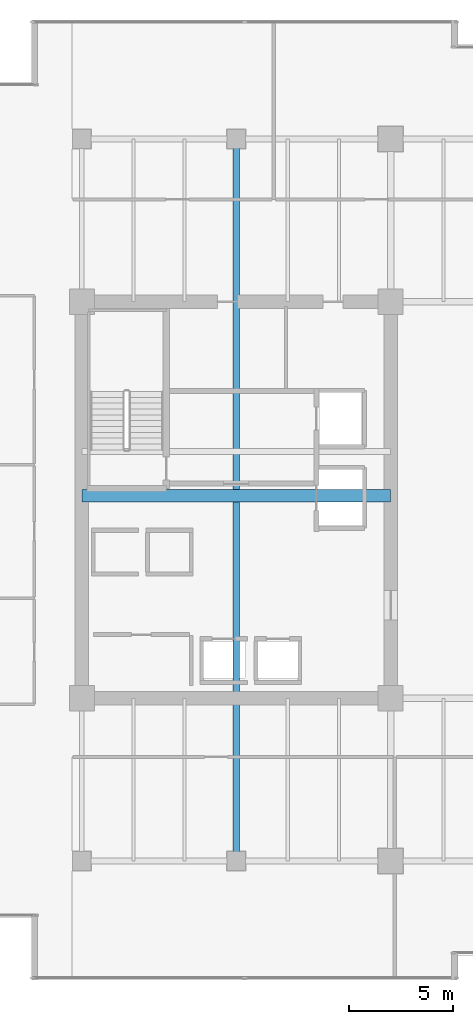
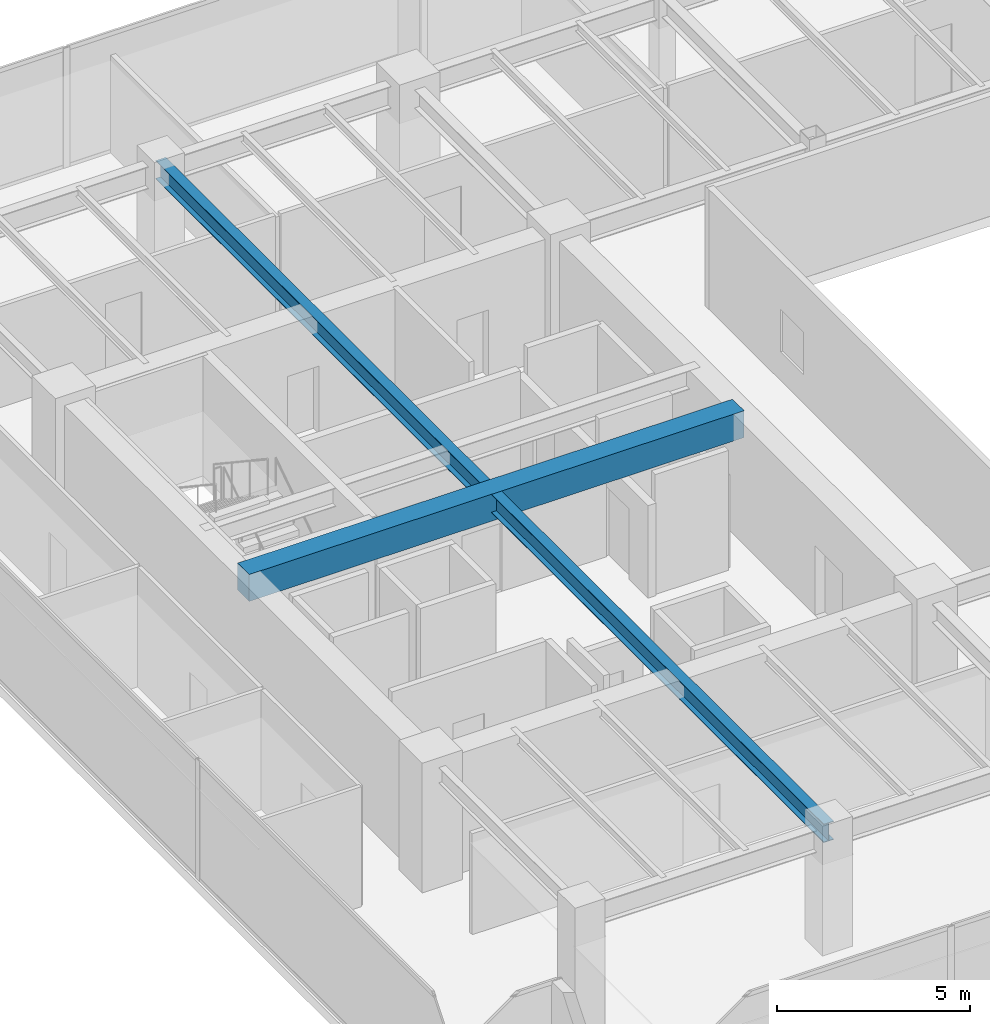
# One storey, part 7 of 34: 2 beams.
"""IFC4 building model written with IfcOpenShell, lengths in metres."""

from ifc_helpers import new_model, si_unit, direction, frame, origin, origin_2d, place, context, subcontext, project, spatial, rectangle, i_section, extrude, source, transform, mapped, material, material_profile, profile_set, type_object, type_shapes, element, save


model = new_model("IFC4")

# Units and contexts
model_context = context("Model", 3, precision=1e-05, world=origin(), true_north=direction((0.0, 1.0)))
body_context = subcontext(model_context, "Body", "Model", "MODEL_VIEW")
ifc_project = project(units=[si_unit("LENGTHUNIT", "METRE"), si_unit("AREAUNIT", "SQUARE_METRE"), si_unit("VOLUMEUNIT", "CUBIC_METRE"), si_unit("PLANEANGLEUNIT", "RADIAN"), si_unit("MASSUNIT", "GRAM", prefix="KILO")], contexts=[model_context])

# Site, building, storey
site_placement = place(None, origin())
site = spatial("IfcSite", under=ifc_project, at=site_placement, CompositionType="ELEMENT")
building_placement = place(site_placement, origin())
building = spatial("IfcBuilding", under=site, at=building_placement, Name="Haelvirn Gate Laboratories", CompositionType="ELEMENT")
storey_placement = place(building_placement, frame((0.0, 0.0, 178.89990234375)))
storey = spatial("IfcBuildingStorey", under=building, at=storey_placement, Name="L43", CompositionType="ELEMENT", Elevation=178.89990234375)

# Beams
ifc_material_1 = material(Name="Steel SM355", Category="steel")
ifc_material_profile_1 = material_profile(ifc_material_1, i_section(OverallWidth=0.300048828125, OverallDepth=0.587890625, WebThickness=0.011962890625, FlangeThickness=0.02001953125, at=origin_2d()), Name="H-588x300x12x20")
ifc_profile_set_1 = profile_set([ifc_material_profile_1], Name="Steel SM355")
beam_type_1 = type_object("IfcBeamType", Name="BM-G-588", PredefinedType="BEAM", material=ifc_profile_set_1)
shared_shape_1 = source(origin(), body_context, "Body", "SweptSolid", [
    extrude(i_section(OverallWidth=0.300048828125, OverallDepth=0.587890625, WebThickness=0.011962890625, FlangeThickness=0.02001953125, at=origin_2d()), origin(), (0.0, 0.0, 1.0), 34.60009765625),
])
type_shapes(beam_type_1, [shared_shape_1])
beam_1_placement = place(storey_placement, frame((14.800048828125, 7.0, 3.49609375), z_axis=(0.0, 1.0, 0.0), x_axis=(-1.0, 0.0, 0.0)))
element("IfcBeam", 1, at=beam_1_placement, inside=storey, type_object=beam_type_1, Name="L43 Frame Girder X14.8 (7.0-41.6)", PredefinedType="BEAM", context=body_context, shape_type="MappedRepresentation", body=[
    mapped(shared_shape_1, transform((0.0, 0.0, 0.0), scale=1.0)),
])
ifc_material_2 = material(Name="Concrete C50/60", Category="concrete")
ifc_material_profile_2 = material_profile(ifc_material_2, rectangle(XDim=0.60009765625, YDim=0.85009765625, at=origin_2d()), Name="RCB-600x850")
ifc_profile_set_2 = profile_set([ifc_material_profile_2], Name="Concrete C50/60")
beam_type_2 = type_object("IfcBeamType", Name="BM-RCB-850", PredefinedType="LINTEL", material=ifc_profile_set_2)
shared_shape_2 = source(origin(), body_context, "Body", "SweptSolid", [
    extrude(rectangle(XDim=0.60009765625, YDim=0.85009765625, at=origin_2d()), origin(), (0.0, 0.0, 1.0), 14.800048828125),
])
type_shapes(beam_type_2, [shared_shape_2])
beam_2_placement = place(storey_placement, frame((7.39990234375, 24.5, 3.364990234375), z_axis=(1.0, 0.0, 0.0), x_axis=(0.0, 1.0, 0.0)))
element("IfcBeam", 2, at=beam_2_placement, inside=storey, type_object=beam_type_2, Name="L43 West Core Coupling Beam", PredefinedType="LINTEL", context=body_context, shape_type="MappedRepresentation", body=[
    mapped(shared_shape_2, transform((0.0, 0.0, 0.0), scale=1.0)),
])

save(model, "model.ifc")
